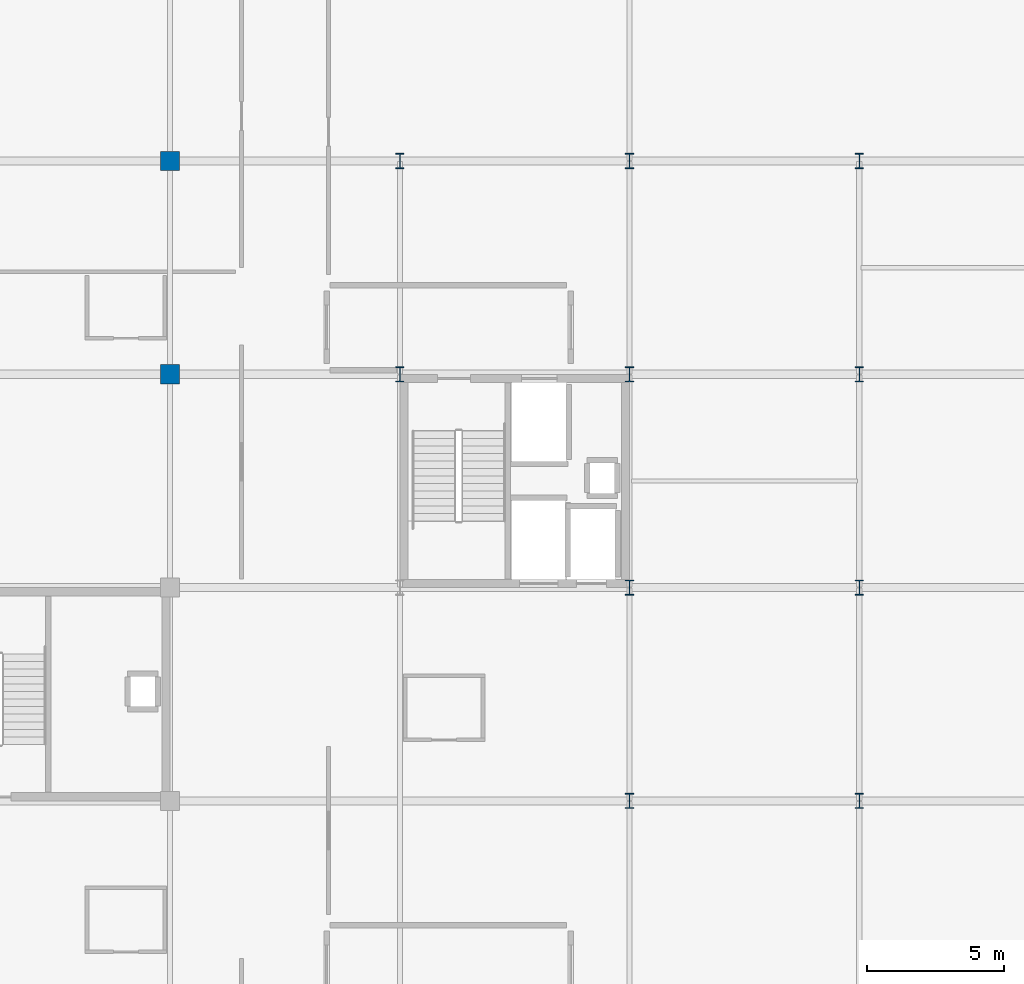
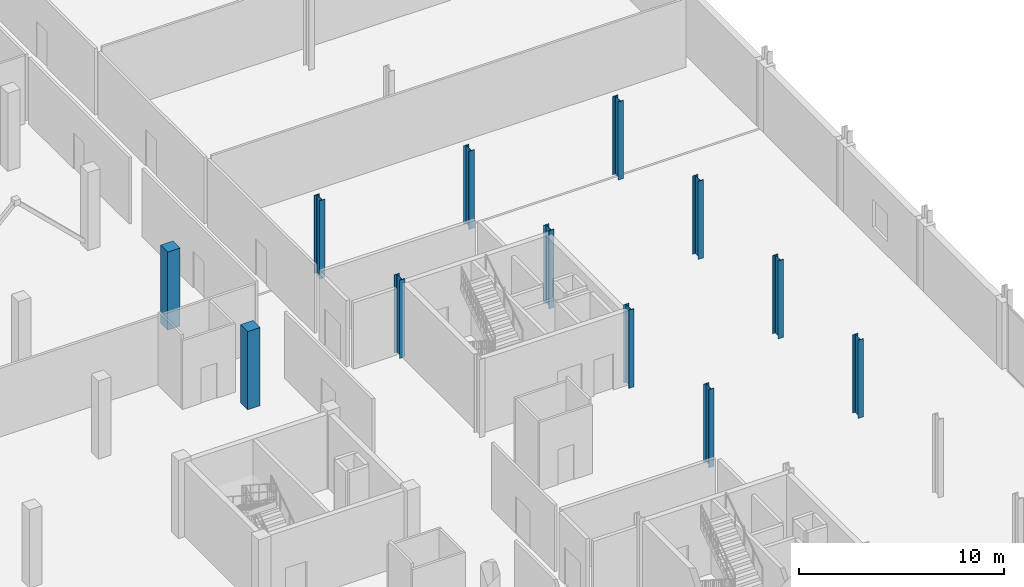
# One storey, part 17 of 98: 12 columns.
"""IFC4 building model written with IfcOpenShell, lengths in metres."""

from ifc_helpers import new_model, si_unit, direction, frame, origin, origin_2d, place, context, subcontext, project, spatial, rectangle, i_section, extrude, material, material_profile, profile_set, type_object, element, save


model = new_model("IFC4")

# Units and contexts
model_context = context("Model", 3, precision=1e-05, world=origin(), true_north=direction((0.0, 1.0)))
body_context = subcontext(model_context, "Body", "Model", "MODEL_VIEW")
ifc_project = project(units=[si_unit("LENGTHUNIT", "METRE"), si_unit("AREAUNIT", "SQUARE_METRE"), si_unit("VOLUMEUNIT", "CUBIC_METRE"), si_unit("PLANEANGLEUNIT", "RADIAN"), si_unit("MASSUNIT", "GRAM", prefix="KILO")], contexts=[model_context])

# Site, building, storey
site_placement = place(None, origin())
site = spatial("IfcSite", under=ifc_project, at=site_placement, CompositionType="ELEMENT")
building_placement = place(site_placement, origin())
building = spatial("IfcBuilding", under=site, at=building_placement, Name="Nabrawat Pavilion Hospital", CompositionType="ELEMENT")
storey_placement = place(building_placement, frame((0.0, 0.0, 10.199951171875)))
storey = spatial("IfcBuildingStorey", under=building, at=storey_placement, Name="L02", CompositionType="ELEMENT", Elevation=10.199951171875)

# Columns
ifc_material_1 = material(Name="Steel S355", Category="steel")
ifc_material_profile_1 = material_profile(ifc_material_1, i_section(OverallWidth=0.300048828125, OverallDepth=0.550048828125, WebThickness=0.014892578125, FlangeThickness=0.029052734375, FilletRadius=0.027099609375, at=origin_2d()), Name="HEB 550")
ifc_profile_set_1 = profile_set([ifc_material_profile_1], Name="Steel S355")
column_type_1 = type_object("IfcColumnType", Name="Composite Steel Column HEB 550", PredefinedType="COLUMN", material=ifc_profile_set_1)
for number, where, z_axis, x_axis, name in (
    (1, (168.0, 78.0, 0.0), (0.0, 0.0, 1.0), (1.0, 0.0, 0.0), "L02 Structural Column G-21-L"),
    (2, (168.0, 85.800048828125, 0.0), (0.0, 0.0, 1.0), (1.0, 0.0, 0.0), "L02 Structural Column G-21-M1"),
    (3, (176.39990234375, 62.39990234375, 0.0), (0.0, 0.0, 1.0), (1.0, 0.0, 0.0), "L02 Structural Column G-22-J"),
    (4, (176.39990234375, 70.199951171875, 0.0), (0.0, 0.0, 1.0), (1.0, 0.0, 0.0), "L02 Structural Column G-22-K"),
    (5, (176.39990234375, 78.0, 0.0), (0.0, 0.0, 1.0), (1.0, 0.0, 0.0), "L02 Structural Column G-22-L"),
    (6, (176.39990234375, 85.800048828125, 0.0), (0.0, 0.0, 1.0), (1.0, 0.0, 0.0), "L02 Structural Column G-22-M1"),
    (7, (184.800048828125, 62.39990234375, 0.0), (0.0, 0.0, 1.0), (1.0, 0.0, 0.0), "L02 Structural Column G-23-J"),
    (8, (184.800048828125, 70.199951171875, 0.0), (0.0, 0.0, 1.0), (1.0, 0.0, 0.0), "L02 Structural Column G-23-K"),
    (9, (184.800048828125, 78.0, 0.0), (0.0, 0.0, 1.0), (1.0, 0.0, 0.0), "L02 Structural Column G-23-L"),
    (10, (184.800048828125, 85.800048828125, 0.0), (0.0, 0.0, 1.0), (1.0, 0.0, 0.0), "L02 Structural Column G-23-M1"),
):
    element("IfcColumn", number, at=place(storey_placement, frame(where, z_axis=z_axis, x_axis=x_axis)), inside=storey, type_object=column_type_1, Name=name, PredefinedType="COLUMN", context=body_context, shape_type="SweptSolid", body=[
        extrude(i_section(OverallWidth=0.300048828125, OverallDepth=0.550048828125, WebThickness=0.014892578125, FlangeThickness=0.029052734375, FilletRadius=0.027099609375, at=origin_2d()), origin(), (0.0, 0.0, 1.0), 4.650146484375),
    ])
ifc_material_2 = material(Name="Concrete C40/50", Category="concrete")
ifc_material_profile_2 = material_profile(ifc_material_2, rectangle(XDim=0.699951171875, YDim=0.699951171875, at=origin_2d()), Name="RC 700x700")
ifc_profile_set_2 = profile_set([ifc_material_profile_2], Name="Concrete C40/50")
column_type_2 = type_object("IfcColumnType", Name="Mid-Tier Ward RC Column 700x700", PredefinedType="COLUMN", material=ifc_profile_set_2)
for number, where, z_axis, x_axis, name in (
    (11, (159.60009765625, 78.0, 0.0), (0.0, 0.0, 1.0), (1.0, 0.0, 0.0), "L02 Structural Column G-20-L"),
    (12, (159.60009765625, 85.800048828125, 0.0), (0.0, 0.0, 1.0), (1.0, 0.0, 0.0), "L02 Structural Column G-20-M1"),
):
    element("IfcColumn", number, at=place(storey_placement, frame(where, z_axis=z_axis, x_axis=x_axis)), inside=storey, type_object=column_type_2, Name=name, PredefinedType="COLUMN", context=body_context, shape_type="SweptSolid", body=[
        extrude(rectangle(XDim=0.699951171875, YDim=0.699951171875, at=origin_2d()), origin(), (0.0, 0.0, 1.0), 4.650146484375),
    ])

save(model, "model.ifc")
